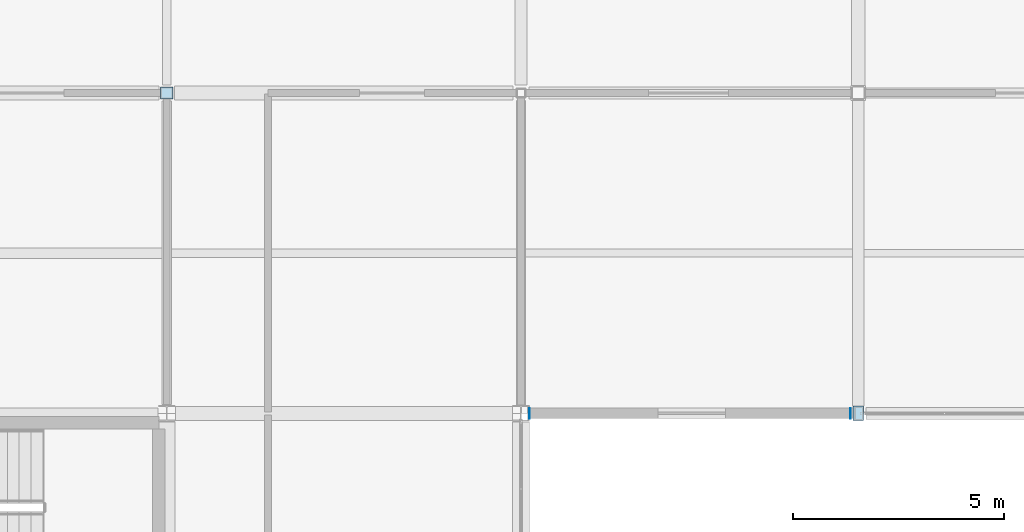
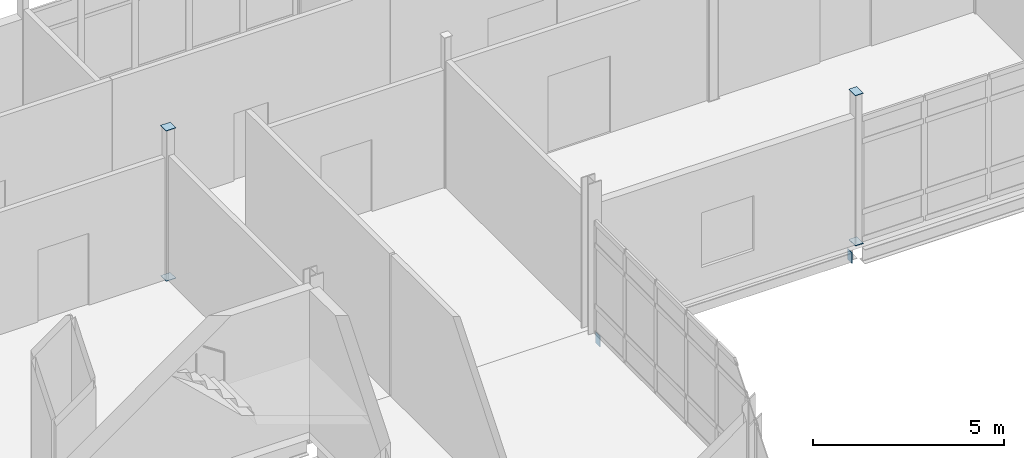
# One storey, part 143 of 186: 6 plates.
"""IFC4 building model written with IfcOpenShell, lengths in metres."""

from ifc_helpers import new_model, si_unit, direction, frame, origin, origin_2d, place, context, subcontext, project, spatial, rectangle, extrude, material, layer, layer_set, type_object, element, save


model = new_model("IFC4")

# Units and contexts
model_context = context("Model", 3, precision=1e-05, world=origin(), true_north=direction((0.0, 1.0)))
body_context = subcontext(model_context, "Body", "Model", "MODEL_VIEW")
ifc_project = project(units=[si_unit("LENGTHUNIT", "METRE"), si_unit("AREAUNIT", "SQUARE_METRE"), si_unit("VOLUMEUNIT", "CUBIC_METRE"), si_unit("PLANEANGLEUNIT", "RADIAN"), si_unit("MASSUNIT", "GRAM", prefix="KILO")], contexts=[model_context])

# Site, building, storey
site_placement = place(None, origin())
site = spatial("IfcSite", under=ifc_project, at=site_placement, CompositionType="ELEMENT")
building_placement = place(site_placement, origin())
building = spatial("IfcBuilding", under=site, at=building_placement, Name="Calvrana Isthmian Art Gallery", CompositionType="ELEMENT")
storey_placement = place(building_placement, frame((0.0, 0.0, 5.39990234375)))
storey = spatial("IfcBuildingStorey", under=building, at=storey_placement, Name="L01", CompositionType="ELEMENT", Elevation=5.39990234375)

# Plates
ifc_material = material(Name="Steel ASTM A572 Gr 50", Category="steel")
ifc_layer = layer(ifc_material, 0.01611328125, Name="Steel ASTM A572 Gr 50")
ifc_layer_set = layer_set([ifc_layer], Name="Steel ASTM A572 Gr 50")
plate_type = type_object("IfcPlateType", Name="PL-CAP-16", PredefinedType="SHEET", material=ifc_layer_set)
for number, where, z_axis, x_axis, name in (
    (1, (72.0, 54.39990234375, -0.008056640625), (0.0, 0.0, 1.0), (1.0, 0.0, 0.0), "Hollow section end cap plate 171"),
    (2, (72.0, 54.39990234375, 4.7919921875), (0.0, 0.0, 1.0), (1.0, 0.0, 0.0), "Hollow section end cap plate 172"),
):
    element("IfcPlate", number, at=place(storey_placement, frame(where, z_axis=z_axis, x_axis=x_axis)), inside=storey, type_object=plate_type, Name=name, PredefinedType="SHEET", context=body_context, shape_type="SweptSolid", body=[
        extrude(rectangle(XDim=0.2939453125, YDim=0.2939453125, at=origin_2d()), origin(), (0.0, 0.0, 1.0), 0.01611328125),
    ])
for number, where, z_axis, x_axis, name in (
    (3, (88.39990234375, 46.800048828125, -0.008056640625), (0.0, 0.0, 1.0), (1.0, 0.0, 0.0), "Hollow section end cap plate 205"),
    (4, (88.39990234375, 46.800048828125, 4.7919921875), (0.0, 0.0, 1.0), (1.0, 0.0, 0.0), "Hollow section end cap plate 206"),
):
    element("IfcPlate", number, at=place(storey_placement, frame(where, z_axis=z_axis, x_axis=x_axis)), inside=storey, type_object=plate_type, Name=name, PredefinedType="SHEET", context=body_context, shape_type="SweptSolid", body=[
        extrude(rectangle(XDim=0.2431640625, YDim=0.3447265625, at=origin_2d()), origin(), (0.0, 0.0, 1.0), 0.01611328125),
    ])
for number, where, z_axis, x_axis, name in (
    (5, (80.6005859375, 46.800048828125, -0.569580078125), (0.0, 0.0, 1.0), (1.0, 0.0, 0.0), "Hollow section end cap plate 419"),
    (6, (88.216064453125, 46.800048828125, -0.569580078125), (0.0, 0.0, 1.0), (1.0, 0.0, 0.0), "Hollow section end cap plate 420"),
):
    element("IfcPlate", number, at=place(storey_placement, frame(where, z_axis=z_axis, x_axis=x_axis)), inside=storey, type_object=plate_type, Name=name, PredefinedType="SHEET", context=body_context, shape_type="SweptSolid", body=[
        extrude(rectangle(XDim=0.01611328125, YDim=0.2431640625, at=origin_2d()), origin(), (0.0, 0.0, 1.0), 0.3447265625),
    ])

save(model, "model.ifc")
